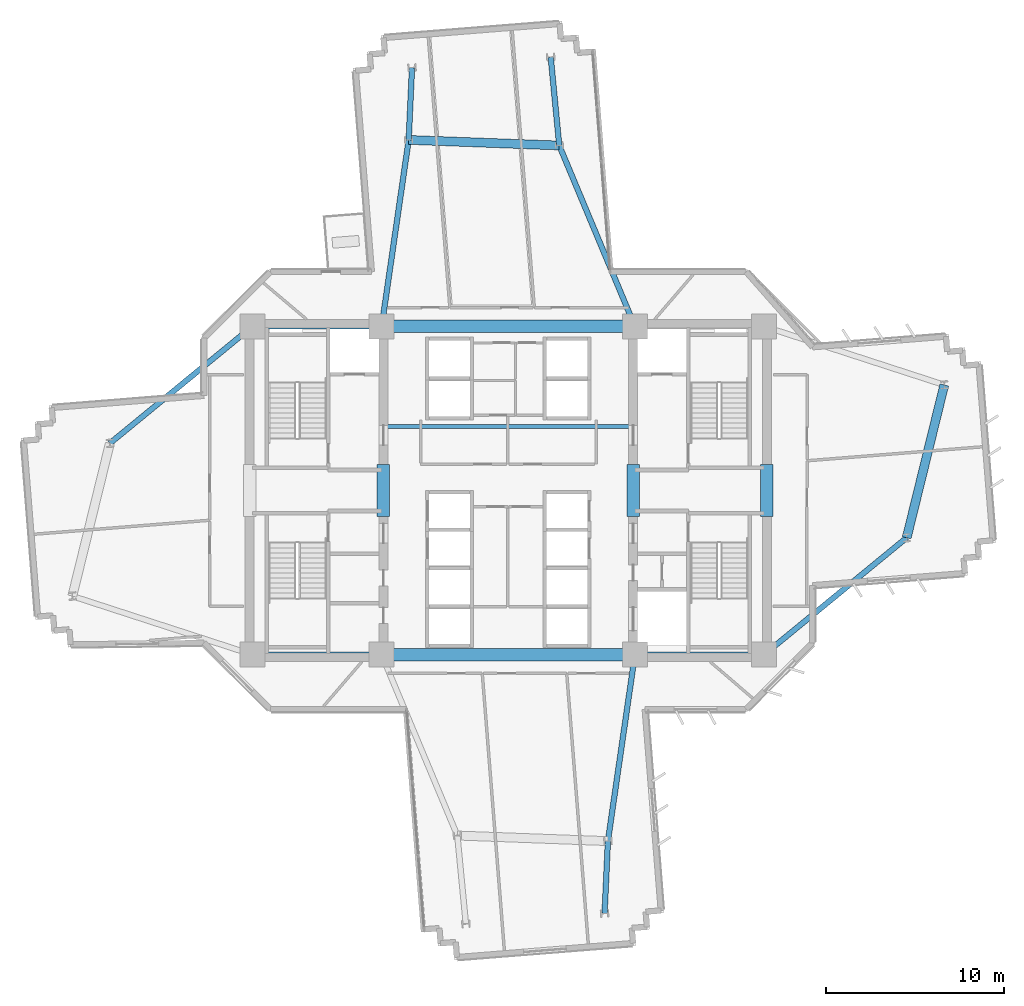
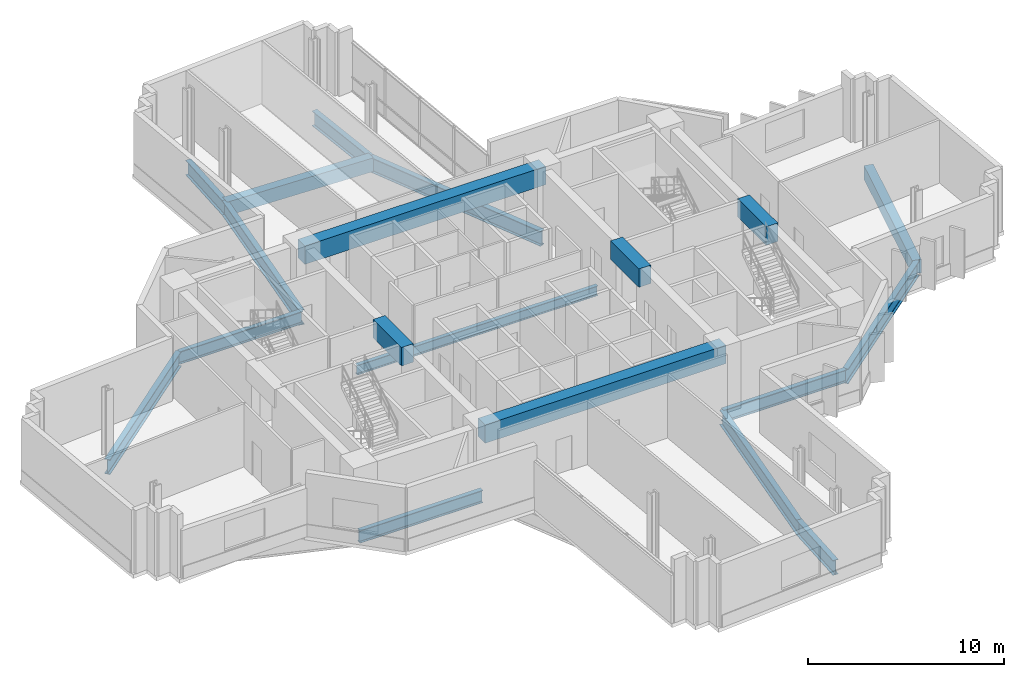
# One storey, part 3 of 15: 19 beams.
"""IFC4 building model written with IfcOpenShell, lengths in metres."""

from ifc_helpers import new_model, si_unit, direction, frame, origin, origin_2d, place, context, subcontext, project, spatial, rectangle, i_section, extrude, source, transform, mapped, material, material_profile, profile_set, type_object, element, save


model = new_model("IFC4")

# Units and contexts
model_context = context("Model", 3, precision=1e-05, world=origin(), true_north=direction((0.0, 1.0)))
body_context = subcontext(model_context, "Body", "Model", "MODEL_VIEW")
ifc_project = project(units=[si_unit("LENGTHUNIT", "METRE"), si_unit("AREAUNIT", "SQUARE_METRE"), si_unit("VOLUMEUNIT", "CUBIC_METRE"), si_unit("PLANEANGLEUNIT", "RADIAN"), si_unit("MASSUNIT", "GRAM", prefix="KILO")], contexts=[model_context])

# Site, building, storey
site_placement = place(None, origin())
site = spatial("IfcSite", under=ifc_project, at=site_placement, CompositionType="ELEMENT")
building_placement = place(site_placement, origin())
building = spatial("IfcBuilding", under=site, at=building_placement, Name="Zahravan Cultural Tower", CompositionType="ELEMENT")
storey_placement = place(building_placement, frame((0.0, 0.0, 79.5)))
storey = spatial("IfcBuildingStorey", under=building, at=storey_placement, Name="L17", CompositionType="ELEMENT", Elevation=79.5)

# Beams
ifc_material_1 = material(Name="Concrete C50/60", Category="concrete")
ifc_material_profile_1 = material_profile(ifc_material_1, rectangle(XDim=0.699951171875, YDim=1.14990234375, at=origin_2d()), Name="RC700X1150")
ifc_profile_set_1 = profile_set([ifc_material_profile_1], Name="Concrete C50/60")
beam_type_1 = type_object("IfcBeamType", Name="BM-LN-RC700X1150", PredefinedType="LINTEL", material=ifc_profile_set_1)
shared_shape_1 = source(origin(), body_context, "Body", "SweptSolid", [
    extrude(rectangle(XDim=0.699951171875, YDim=1.14990234375, at=origin_2d()), origin(), (0.0, 0.0, 1.0), 14.2001953125),
])
for number, where, z_axis, x_axis, name in (
    (1, (28.89990234375, 17.800048828125, 3.375), (1.0, 0.0, 0.0), (0.0, 1.0, 0.0), "L17 Beam LN-L17-S"),
    (2, (28.89990234375, 36.199951171875, 3.375), (1.0, 0.0, 0.0), (0.0, 1.0, 0.0), "L17 Beam LN-L17-N"),
):
    element("IfcBeam", number, at=place(storey_placement, frame(where, z_axis=z_axis, x_axis=x_axis)), inside=storey, type_object=beam_type_1, Name=name, PredefinedType="LINTEL", context=body_context, shape_type="MappedRepresentation", body=[
        mapped(shared_shape_1, transform((0.0, 0.0, 0.0), x_axis=(1.0, 0.0, 0.0), y_axis=(0.0, 1.0, 0.0), z_axis=(0.0, 0.0, 1.0), scale=1.0)),
    ])
shared_shape_2 = source(origin(), body_context, "Body", "SweptSolid", [
    extrude(rectangle(XDim=0.699951171875, YDim=1.14990234375, at=origin_2d()), origin(), (0.0, 0.0, 1.0), 2.89990234375),
])
for number, where, z_axis, x_axis, name in (
    (3, (29.0, 25.550048828125, 3.375), (0.0, 1.0, 0.0), (-1.0, 0.0, 0.0), "L17 Beam LN-L17-PWE"),
    (4, (43.0, 25.550048828125, 3.375), (0.0, 1.0, 0.0), (-1.0, 0.0, 0.0), "L17 Beam LN-L17-PEW"),
    (5, (50.5, 25.550048828125, 3.375), (0.0, 1.0, 0.0), (-1.0, 0.0, 0.0), "L17 Beam LN-L17-PEE"),
):
    element("IfcBeam", number, at=place(storey_placement, frame(where, z_axis=z_axis, x_axis=x_axis)), inside=storey, type_object=beam_type_1, Name=name, PredefinedType="LINTEL", context=body_context, shape_type="MappedRepresentation", body=[
        mapped(shared_shape_2, transform((0.0, 0.0, 0.0), x_axis=(1.0, 0.0, 0.0), y_axis=(0.0, 1.0, 0.0), z_axis=(0.0, 0.0, 1.0), scale=1.0)),
    ])
ifc_material_2 = material(Name="Steel ASTM A992 Grade 50", Category="steel")
ifc_material_profile_2 = material_profile(ifc_material_2, i_section(OverallWidth=0.26611328125, OverallDepth=0.780029296875, WebThickness=0.0166015625, FlangeThickness=0.030029296875, FilletRadius=0.01904296875, at=origin_2d()), Name="W30X148")
ifc_profile_set_2 = profile_set([ifc_material_profile_2], Name="Steel ASTM A992 Grade 50")
beam_type_2 = type_object("IfcBeamType", Name="BM-G-W30X148", PredefinedType="BEAM", material=ifc_profile_set_2)
shared_shape_3 = source(origin(), body_context, "Body", "SweptSolid", [
    extrude(i_section(OverallWidth=0.26611328125, OverallDepth=0.780029296875, WebThickness=0.0166015625, FlangeThickness=0.030029296875, FilletRadius=0.01904296875, at=origin_2d()), origin(), (0.0, 0.0, 1.0), 7.25),
])
for number, where, z_axis, x_axis, name in (
    (6, (21.64990234375, 17.800048828125, -0.639892578125), (1.0, 0.0, 0.0), (0.0, 1.0, 0.0), "L17 Beam BG-L17-01"),
    (7, (21.64990234375, 36.199951171875, -0.639892578125), (1.0, 0.0, 0.0), (0.0, 1.0, 0.0), "L17 Beam BG-L17-02"),
    (8, (43.10009765625, 17.800048828125, -0.639892578125), (1.0, 0.0, 0.0), (0.0, 1.0, 0.0), "L17 Beam BG-L17-04"),
):
    element("IfcBeam", number, at=place(storey_placement, frame(where, z_axis=z_axis, x_axis=x_axis)), inside=storey, type_object=beam_type_2, Name=name, PredefinedType="BEAM", context=body_context, shape_type="MappedRepresentation", body=[
        mapped(shared_shape_3, transform((0.0, 0.0, 0.0), x_axis=(1.0, 0.0, 0.0), y_axis=(0.0, 1.0, 0.0), z_axis=(0.0, 0.0, 1.0), scale=1.0)),
    ])
ifc_material_profile_3 = material_profile(ifc_material_2, i_section(OverallWidth=0.30908203125, OverallDepth=0.931884765625, WebThickness=0.02099609375, FlangeThickness=0.034423828125, FilletRadius=0.02392578125, at=origin_2d()), Name="W36X210")
ifc_profile_set_3 = profile_set([ifc_material_profile_3], Name="Steel ASTM A992 Grade 50")
beam_type_3 = type_object("IfcBeamType", Name="BM-G-W36X210", PredefinedType="BEAM", material=ifc_profile_set_3)
shared_shape_4 = source(origin(), body_context, "Body", "SweptSolid", [
    extrude(i_section(OverallWidth=0.30908203125, OverallDepth=0.931884765625, WebThickness=0.02099609375, FlangeThickness=0.034423828125, FilletRadius=0.02392578125, at=origin_2d()), origin(), (0.0, 0.0, 1.0), 10.997802734375),
])
beam_1_placement = place(storey_placement, frame((43.10009765625, 36.199951171875, -0.716064453125), z_axis=(-0.385775211449, 0.922592806297, 0.0), x_axis=(-0.922592806297, -0.385775211449, 0.0)))
element("IfcBeam", 9, at=beam_1_placement, inside=storey, type_object=beam_type_3, Name="L17 Beam BG-L17-12", PredefinedType="BEAM", context=body_context, shape_type="MappedRepresentation", body=[
    mapped(shared_shape_4, transform((0.0, 0.0, 0.0), x_axis=(1.0, 0.0, 0.0), y_axis=(0.0, 1.0, 0.0), z_axis=(0.0, 0.0, 1.0), scale=1.0)),
])
shared_shape_5 = source(origin(), body_context, "Body", "SweptSolid", [
    extrude(i_section(OverallWidth=0.30908203125, OverallDepth=0.931884765625, WebThickness=0.02099609375, FlangeThickness=0.034423828125, FilletRadius=0.02392578125, at=origin_2d()), origin(), (0.0, 0.0, 1.0), 10.5673828125),
])
for number, where, z_axis, x_axis, name in (
    (10, (43.10009765625, 17.800048828125, -0.716064453125), (-0.143377913539, -0.989668011966, 0.0), (0.989668011966, -0.143377913539, 0.0), "L17 Beam BG-L17-09"),
    (11, (28.89990234375, 36.199951171875, -0.716064453125), (0.143377913539, 0.989668011966, 0.0), (-0.989668011966, 0.143377913539, 0.0), "L17 Beam BG-L17-13"),
):
    element("IfcBeam", number, at=place(storey_placement, frame(where, z_axis=z_axis, x_axis=x_axis)), inside=storey, type_object=beam_type_3, Name=name, PredefinedType="BEAM", context=body_context, shape_type="MappedRepresentation", body=[
        mapped(shared_shape_5, transform((0.0, 0.0, 0.0), x_axis=(1.0, 0.0, 0.0), y_axis=(0.0, 1.0, 0.0), z_axis=(0.0, 0.0, 1.0), scale=1.0)),
    ])
shared_shape_6 = source(origin(), body_context, "Body", "SweptSolid", [
    extrude(i_section(OverallWidth=0.30908203125, OverallDepth=0.931884765625, WebThickness=0.02099609375, FlangeThickness=0.034423828125, FilletRadius=0.02392578125, at=origin_2d()), origin(), (0.0, 0.0, 1.0), 10.33203125),
])
for number, where, z_axis, x_axis, name in (
    (12, (50.35009765625, 17.800048828125, -0.716064453125), (0.773231409473, 0.634123952713, 0.0), (-0.634123952713, 0.773231409473, 0.0), "L17 Beam BG-L17-10"),
    (13, (21.64990234375, 36.199951171875, -0.716064453125), (-0.773231409473, -0.634123952713, 0.0), (0.634123952713, -0.773231409473, 0.0), "L17 Beam BG-L17-14"),
):
    element("IfcBeam", number, at=place(storey_placement, frame(where, z_axis=z_axis, x_axis=x_axis)), inside=storey, type_object=beam_type_3, Name=name, PredefinedType="BEAM", context=body_context, shape_type="MappedRepresentation", body=[
        mapped(shared_shape_6, transform((0.0, 0.0, 0.0), x_axis=(1.0, 0.0, 0.0), y_axis=(0.0, 1.0, 0.0), z_axis=(0.0, 0.0, 1.0), scale=1.0)),
    ])
shared_shape_7 = source(origin(), body_context, "Body", "SweptSolid", [
    extrude(i_section(OverallWidth=0.30908203125, OverallDepth=0.931884765625, WebThickness=0.02099609375, FlangeThickness=0.034423828125, FilletRadius=0.02392578125, at=origin_2d()), origin(), (0.0, 0.0, 1.0), 4.973876953125),
])
beam_2_placement = place(storey_placement, frame((38.857421875, 46.346435546875, -0.716064453125), z_axis=(-0.096154779131, 0.995366394073, 0.0), x_axis=(-0.995366394073, -0.096154779131, 0.0)))
element("IfcBeam", 14, at=beam_2_placement, inside=storey, type_object=beam_type_3, Name="L17 Beam BG-L17-15", PredefinedType="BEAM", context=body_context, shape_type="MappedRepresentation", body=[
    mapped(shared_shape_7, transform((0.0, 0.0, 0.0), x_axis=(1.0, 0.0, 0.0), y_axis=(0.0, 1.0, 0.0), z_axis=(0.0, 0.0, 1.0), scale=1.0)),
])
shared_shape_8 = source(origin(), body_context, "Body", "SweptSolid", [
    extrude(i_section(OverallWidth=0.30908203125, OverallDepth=0.931884765625, WebThickness=0.02099609375, FlangeThickness=0.034423828125, FilletRadius=0.02392578125, at=origin_2d()), origin(), (0.0, 0.0, 1.0), 4.0537109375),
])
for number, where, z_axis, x_axis, name in (
    (15, (30.4150390625, 46.658203125, -0.716064453125), (0.045770994677, 0.998951958828, 0.0), (-0.998951958828, 0.045770994677, 0.0), "L17 Beam BG-L17-16"),
    (16, (41.5849609375, 7.341796875, -0.716064453125), (-0.045770994677, -0.998951958828, 0.0), (0.998951958828, -0.045770994677, 0.0), "L17 Beam BG-L17-18"),
):
    element("IfcBeam", number, at=place(storey_placement, frame(where, z_axis=z_axis, x_axis=x_axis)), inside=storey, type_object=beam_type_3, Name=name, PredefinedType="BEAM", context=body_context, shape_type="MappedRepresentation", body=[
        mapped(shared_shape_8, transform((0.0, 0.0, 0.0), x_axis=(1.0, 0.0, 0.0), y_axis=(0.0, 1.0, 0.0), z_axis=(0.0, 0.0, 1.0), scale=1.0)),
    ])
ifc_material_profile_4 = material_profile(ifc_material_1, rectangle(XDim=0.5, YDim=0.85009765625, at=origin_2d()), Name="RC500X850")
ifc_profile_set_4 = profile_set([ifc_material_profile_4], Name="Concrete C50/60")
beam_type_4 = type_object("IfcBeamType", Name="BM-SP-RC500X850", PredefinedType="SPANDREL", material=ifc_profile_set_4)
shared_shape_9 = source(origin(), body_context, "Body", "SweptSolid", [
    extrude(rectangle(XDim=0.5, YDim=0.85009765625, at=origin_2d()), origin(), (0.0, 0.0, 1.0), 8.4482421875),
])
beam_3_placement = place(storey_placement, frame((38.857421875, 46.346435546875, -0.675048828125), z_axis=(-0.999318826256, 0.036903705643, 0.0), x_axis=(-0.036903705643, -0.999318826256, 0.0)))
element("IfcBeam", 17, at=beam_3_placement, inside=storey, type_object=beam_type_4, Name="L17 Beam SP-L17-21", PredefinedType="SPANDREL", context=body_context, shape_type="MappedRepresentation", body=[
    mapped(shared_shape_9, transform((0.0, 0.0, 0.0), x_axis=(1.0, 0.0, 0.0), y_axis=(0.0, 1.0, 0.0), z_axis=(0.0, 0.0, 1.0), scale=1.0)),
])
shared_shape_10 = source(origin(), body_context, "Body", "SweptSolid", [
    extrude(rectangle(XDim=0.5, YDim=0.85009765625, at=origin_2d()), origin(), (0.0, 0.0, 1.0), 8.8232421875),
])
beam_4_placement = place(storey_placement, frame((58.339111328125, 24.351806640625, -0.675048828125), z_axis=(0.238848860516, 0.971056755206, 0.0), x_axis=(-0.971056755206, 0.238848860516, 0.0)))
element("IfcBeam", 18, at=beam_4_placement, inside=storey, type_object=beam_type_4, Name="L17 Beam SP-L17-20", PredefinedType="SPANDREL", context=body_context, shape_type="MappedRepresentation", body=[
    mapped(shared_shape_10, transform((0.0, 0.0, 0.0), x_axis=(1.0, 0.0, 0.0), y_axis=(0.0, 1.0, 0.0), z_axis=(0.0, 0.0, 1.0), scale=1.0)),
])
ifc_material_profile_5 = material_profile(ifc_material_2, i_section(OverallWidth=0.22802734375, OverallDepth=0.60302734375, WebThickness=0.010498046875, FlangeThickness=0.014892578125, FilletRadius=0.014892578125, at=origin_2d()), Name="W24X68")
ifc_profile_set_5 = profile_set([ifc_material_profile_5], Name="Steel ASTM A992 Grade 50")
beam_type_5 = type_object("IfcBeamType", Name="BM-J-W24X68", PredefinedType="JOIST", material=ifc_profile_set_5)
shared_shape_11 = source(origin(), body_context, "Body", "SweptSolid", [
    extrude(i_section(OverallWidth=0.22802734375, OverallDepth=0.60302734375, WebThickness=0.010498046875, FlangeThickness=0.014892578125, FilletRadius=0.014892578125, at=origin_2d()), origin(), (0.0, 0.0, 1.0), 14.2001953125),
])
beam_5_placement = place(storey_placement, frame((28.89990234375, 30.60009765625, -0.551513671875), z_axis=(1.0, 0.0, 0.0), x_axis=(0.0, 1.0, 0.0)))
element("IfcBeam", 19, at=beam_5_placement, inside=storey, type_object=beam_type_5, Name="L17 Beam BJ-L17-23", PredefinedType="JOIST", context=body_context, shape_type="MappedRepresentation", body=[
    mapped(shared_shape_11, transform((0.0, 0.0, 0.0), x_axis=(1.0, 0.0, 0.0), y_axis=(0.0, 1.0, 0.0), z_axis=(0.0, 0.0, 1.0), scale=1.0)),
])

save(model, "model.ifc")
